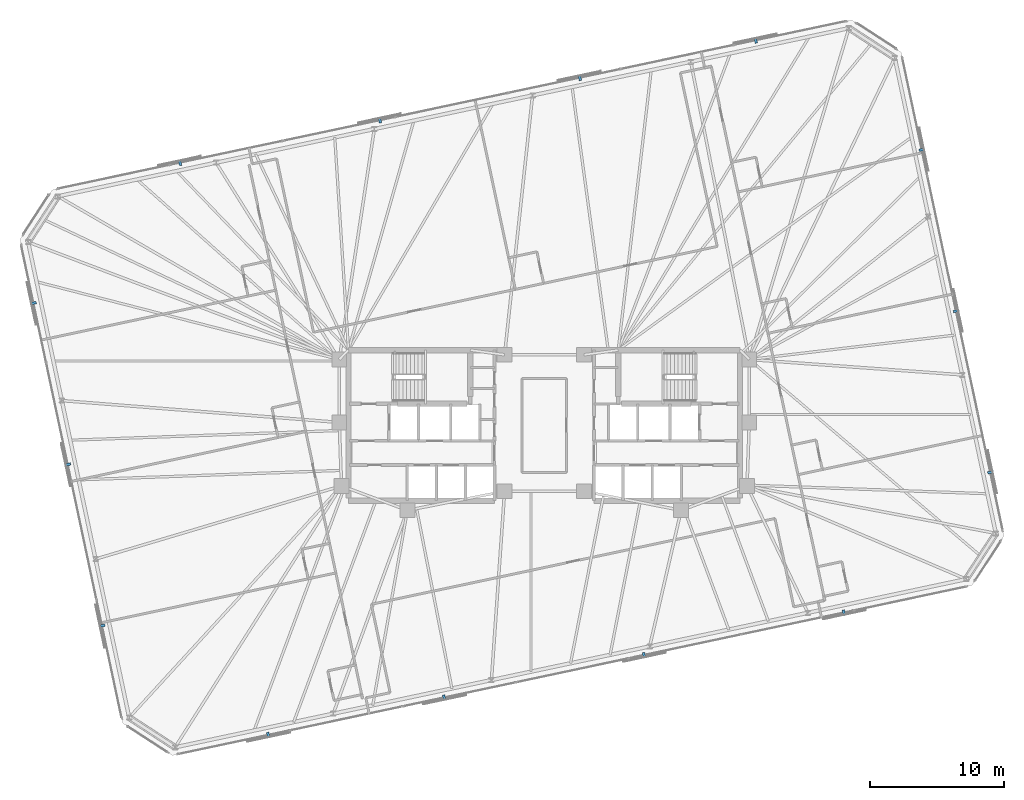
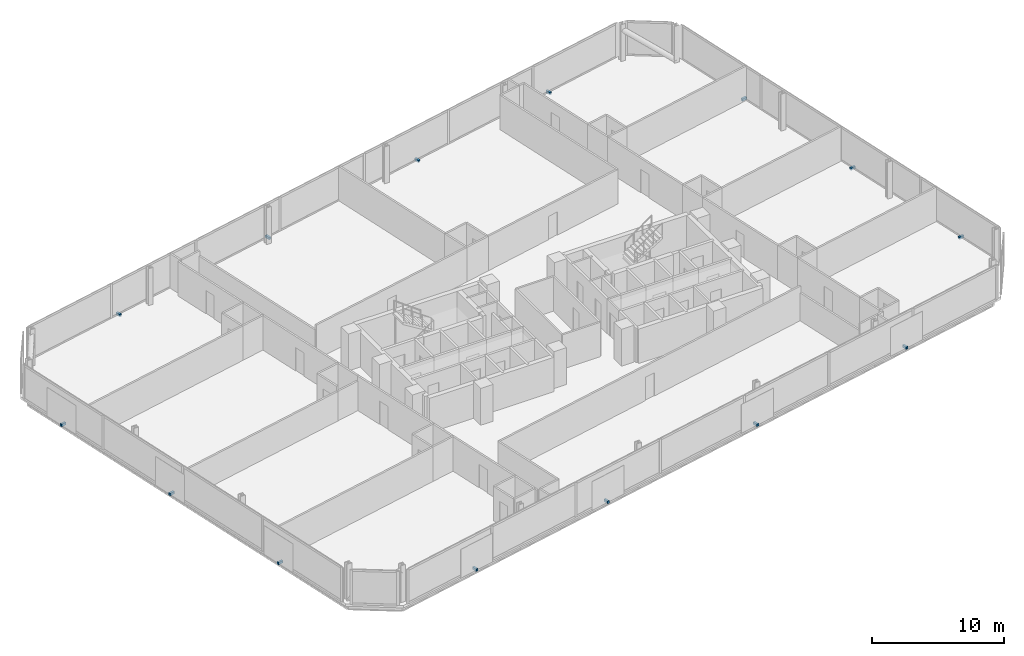
# One storey, part 18 of 19: 14 discrete accessories.
"""IFC4 building model written with IfcOpenShell, lengths in metres."""

from ifc_helpers import new_model, si_unit, direction, frame, origin, origin_2d, place, context, subcontext, project, spatial, rectangle, extrude, material, type_object, element, save


model = new_model("IFC4")

# Units and contexts
model_context = context("Model", 3, precision=1e-05, world=origin(), true_north=direction((0.0, 1.0)))
body_context = subcontext(model_context, "Body", "Model", "MODEL_VIEW")
ifc_project = project(units=[si_unit("LENGTHUNIT", "METRE"), si_unit("AREAUNIT", "SQUARE_METRE"), si_unit("VOLUMEUNIT", "CUBIC_METRE"), si_unit("PLANEANGLEUNIT", "RADIAN"), si_unit("MASSUNIT", "GRAM", prefix="KILO")], contexts=[model_context])

# Site, building, storey
site_placement = place(None, origin())
site = spatial("IfcSite", under=ifc_project, at=site_placement, CompositionType="ELEMENT")
building_placement = place(site_placement, origin())
building = spatial("IfcBuilding", under=site, at=building_placement, Name="Menara Jurai Vektor", CompositionType="ELEMENT")
storey_placement = place(building_placement, frame((0.0, 0.0, 151.39990234375)))
storey = spatial("IfcBuildingStorey", under=building, at=storey_placement, Name="L38", CompositionType="ELEMENT", Elevation=151.39990234375)

# Discrete accessories
ifc_material = material(Name="Steel S355", Category="steel")
discrete_accessory_type = type_object("IfcDiscreteAccessoryType", Name="ENV-ACC-BRACKET", PredefinedType="BRACKET", material=ifc_material)
for number, where, z_axis, x_axis, name in (
    (1, (-20.527099609375, -23.043701171875, -0.1298828125), (0.0, 0.0, 1.0), (0.978147600734, 0.207911690818, 0.0), "Solar Screen Stand-Off Bracket L38-S01"),
    (2, (-7.443115234375, -20.262451171875, -0.1298828125), (0.0, 0.0, 1.0), (0.978147600734, 0.207911690818, 0.0), "Solar Screen Stand-Off Bracket L38-S02"),
    (3, (7.424560546875, -17.102294921875, -0.1298828125), (0.0, 0.0, 1.0), (0.978147600734, 0.207911690818, 0.0), "Solar Screen Stand-Off Bracket L38-S03"),
    (4, (22.29248046875, -13.94189453125, -0.1298828125), (0.0, 0.0, 1.0), (0.978147600734, 0.207911690818, 0.0), "Solar Screen Stand-Off Bracket L38-S04"),
    (5, (33.19580078125, -3.491455078125, -0.1298828125), (0.0, 0.0, 1.0), (-0.207911690818, 0.978147600734, 0.0), "Solar Screen Stand-Off Bracket L38-S05"),
    (6, (30.6455078125, 8.50732421875, -0.1298828125), (0.0, 0.0, 1.0), (-0.207911690818, 0.978147600734, 0.0), "Solar Screen Stand-Off Bracket L38-S06"),
    (7, (28.09521484375, 20.505859375, -0.1298828125), (0.0, 0.0, 1.0), (-0.207911690818, 0.978147600734, 0.0), "Solar Screen Stand-Off Bracket L38-S07"),
    (8, (15.72705078125, 28.6435546875, -0.1298828125), (0.0, 0.0, 1.0), (-0.978147600734, -0.207911690818, 0.0), "Solar Screen Stand-Off Bracket L38-S08"),
    (9, (2.643310546875, 25.862548828125, -0.1298828125), (0.0, 0.0, 1.0), (-0.978147600734, -0.207911690818, 0.0), "Solar Screen Stand-Off Bracket L38-S09"),
    (10, (-12.224609375, 22.702392578125, -0.1298828125), (0.0, 0.0, 1.0), (-0.978147600734, -0.207911690818, 0.0), "Solar Screen Stand-Off Bracket L38-S10"),
    (11, (-27.092529296875, 19.5419921875, -0.1298828125), (0.0, 0.0, 1.0), (-0.978147600734, -0.207911690818, 0.0), "Solar Screen Stand-Off Bracket L38-S11"),
    (12, (-37.995849609375, 9.09130859375, -0.1298828125), (0.0, 0.0, 1.0), (0.207911690818, -0.978147600734, 0.0), "Solar Screen Stand-Off Bracket L38-S12"),
    (13, (-35.445556640625, -2.9072265625, -0.1298828125), (0.0, 0.0, 1.0), (0.207911690818, -0.978147600734, 0.0), "Solar Screen Stand-Off Bracket L38-S13"),
    (14, (-32.895263671875, -14.906005859375, -0.1298828125), (0.0, 0.0, 1.0), (0.207911690818, -0.978147600734, 0.0), "Solar Screen Stand-Off Bracket L38-S14"),
):
    element("IfcDiscreteAccessory", number, at=place(storey_placement, frame(where, z_axis=z_axis, x_axis=x_axis)), inside=storey, type_object=discrete_accessory_type, Name=name, PredefinedType="BRACKET", context=body_context, shape_type="SweptSolid", body=[
        extrude(rectangle(XDim=0.179931640625, YDim=0.43994140625, at=origin_2d()), origin(), (0.0, 0.0, 1.0), 0.219970703125),
    ])

save(model, "model.ifc")
